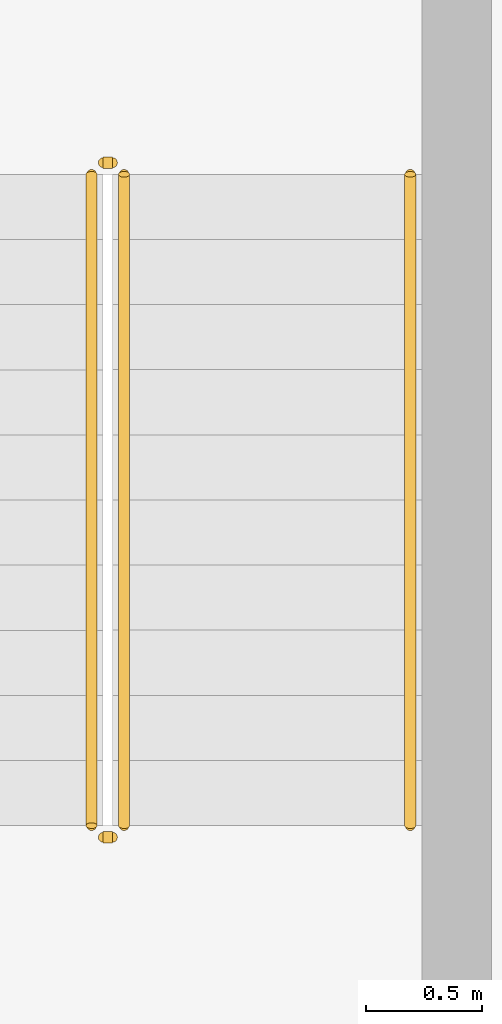
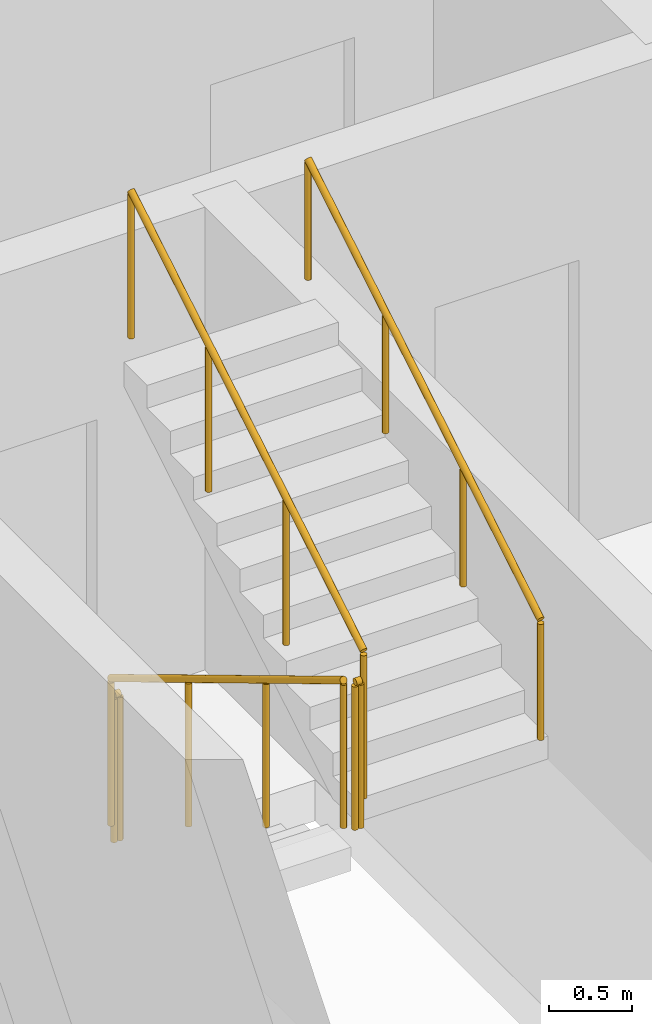
# One storey, part 20 of 23: 5 railings.
"""IFC4 building model written with IfcOpenShell, lengths in metres."""

import ifcopenshell
import ifcopenshell.guid

model = None  # the IFC model being written
_history = None  # IfcOwnerHistory: only IFC2X3 demands one
_inside = {}  # id of a spatial element -> (the spatial element, [elements in it])
_under = {}  # id of a project, library or spatial element -> (it, [spatial elements below it])
_declared = {}  # id of a project -> (the project, [libraries it declares])
_typed = {}  # id of a type object -> (the type object, [elements of that type])
_made_of = {}  # id of a material, layer set ... -> (it, [elements and type objects made of it])


def new_model(schema):
    """Start an empty IFC model of exactly this schema.

    Asked for "IFC4X3", IfcOpenShell would pick the latest addendum, in which some entities
    have other attributes; the version numbers below select the first issue.
    IFC2X3 requires an IfcOwnerHistory on every rooted entity: one is made here for all.
    """
    global model, _history
    if schema == "IFC4X3":
        model = ifcopenshell.file(schema_version=(4, 3, 0, 0))
    else:
        model = ifcopenshell.file(schema=schema)
    _inside.clear()
    _under.clear()
    _declared.clear()
    _typed.clear()
    _made_of.clear()
    _history = None
    if model.schema == "IFC2X3":
        org = make("IfcOrganization", Name="unknown")
        user = make(
            "IfcPersonAndOrganization",
            ThePerson=make("IfcPerson", FamilyName="unknown"),
            TheOrganization=org,
        )
        app = make(
            "IfcApplication",
            ApplicationDeveloper=org,
            Version="unknown",
            ApplicationFullName="unknown",
            ApplicationIdentifier="unknown",
        )
        _history = make(
            "IfcOwnerHistory",
            OwningUser=user,
            OwningApplication=app,
            ChangeAction="ADDED",
            CreationDate=0,
        )
    return model


def make(cls, **values):
    """One entity of the class cls with the attributes given. An attribute that is None is left unset."""
    return model.create_entity(
        cls, **{name: value for name, value in values.items() if value is not None}
    )


def rooted(cls, **values):
    """An entity with a GlobalId (a new one), such as an element, a storey or a relation."""
    return make(cls, GlobalId=ifcopenshell.guid.new(), OwnerHistory=_history, **values)


def si_unit(unit_type, name, prefix=None):
    """IfcSIUnit, for example si_unit("LENGTHUNIT", "METRE", prefix="MILLI")."""
    return make("IfcSIUnit", UnitType=unit_type, Prefix=prefix, Name=name)


def assignment(units):
    """IfcUnitAssignment: the units of a project."""
    return None if units is None else make("IfcUnitAssignment", Units=units)


def point(xyz):
    """IfcCartesianPoint."""
    return None if xyz is None else make("IfcCartesianPoint", Coordinates=xyz)


def direction(xyz):
    """IfcDirection."""
    return None if xyz is None else make("IfcDirection", DirectionRatios=xyz)


def frame(location, z_axis=None, x_axis=None):
    """IfcAxis2Placement3D, a coordinate frame: its origin and axes. An axis left out is left unset."""
    return make(
        "IfcAxis2Placement3D",
        Location=point(location),
        Axis=direction(z_axis),
        RefDirection=direction(x_axis),
    )


def frame_2d(location, x_axis=None):
    """IfcAxis2Placement2D, a coordinate frame in the plane: its origin and x axis."""
    return make(
        "IfcAxis2Placement2D", Location=point(location), RefDirection=direction(x_axis)
    )


def origin():
    """The frame at (0, 0, 0) with its axes left unset."""
    return frame((0.0, 0.0, 0.0))


def origin_2d():
    """The frame at (0, 0) in the plane with its x axis left unset."""
    return frame_2d((0.0, 0.0))


def place(relative_to, where):
    """IfcLocalPlacement: puts the frame where relative to a parent placement (None: the world)."""
    return make(
        "IfcLocalPlacement", PlacementRelTo=relative_to, RelativePlacement=where
    )


def context(
    kind, dimensions, precision=None, world=None, true_north=None, identifier=None
):
    """IfcGeometricRepresentationContext, for example the 3D "Model" context."""
    return make(
        "IfcGeometricRepresentationContext",
        ContextIdentifier=identifier,
        ContextType=kind,
        CoordinateSpaceDimension=dimensions,
        Precision=precision,
        WorldCoordinateSystem=world,
        TrueNorth=true_north,
    )


def subcontext(parent, identifier, kind, view, scale=None):
    """IfcGeometricRepresentationSubContext, for example "Body" below "Model"."""
    return make(
        "IfcGeometricRepresentationSubContext",
        ContextIdentifier=identifier,
        ContextType=kind,
        ParentContext=parent,
        TargetScale=scale,
        TargetView=view,
    )


def project(units=None, contexts=None):
    """IfcProject with its units and contexts."""
    return rooted(
        "IfcProject",
        Name="project",
        RepresentationContexts=contexts,
        UnitsInContext=assignment(units),
    )


def spatial(cls, under=None, at=None, **own):
    """A site, building, storey or space (cls), placed at a placement, below another one or the project."""
    s = rooted(cls, ObjectPlacement=at, **own)
    if under is not None:
        _under.setdefault(under.id(), (under, []))[1].append(s)
    return s


def profile(cls, at=None, kind="AREA", **sizes):
    """A parametric profile (cls). Its sizes go by their IFC names, for example OverallWidth=200.0."""
    return make(cls, ProfileType=kind, Position=at, **sizes)


def circle(**sizes):
    """IfcCircleProfileDef."""
    return profile("IfcCircleProfileDef", **sizes)


def extrude(swept, where, along, depth):
    """IfcExtrudedAreaSolid: the profile swept, set in the frame where, extruded along a direction by depth."""
    return make(
        "IfcExtrudedAreaSolid",
        SweptArea=swept,
        Position=where,
        ExtrudedDirection=direction(along),
        Depth=depth,
    )


def shape(context_of_items, identifier, shape_type, items):
    """IfcShapeRepresentation: the items that make up one representation, for example the "Body"."""
    return make(
        "IfcShapeRepresentation",
        ContextOfItems=context_of_items,
        RepresentationIdentifier=identifier,
        RepresentationType=shape_type,
        Items=items,
    )


def material(Name=None, Category=None):
    """IfcMaterial."""
    return make("IfcMaterial", Name=Name, Category=Category)


def made_of(thing, what):
    """Note that an element or type object is made of a material, layer set ...; save() writes the relation."""
    if what is not None:
        _made_of.setdefault(what.id(), (what, []))[1].append(thing)
    return thing


def type_object(cls, material=None, **own):
    """A type object (cls), such as IfcWallType, which elements share."""
    return made_of(rooted(cls, **own), material)


def element(
    cls,
    number,
    at=None,
    inside=None,
    cuts=None,
    type_object=None,
    material=None,
    context=None,
    identifier="Body",
    shape_type=None,
    held_by="IfcProductDefinitionShape",
    body=None,
    shapes=None,
    **own,
):
    """One element of the class cls, such as IfcWall. Its Tag is "e" and its number.

    at: its placement. inside: the storey or other place that contains it. cuts: it is an
    opening in that element (IfcRelVoidsElement). A single representation is given by context,
    identifier, shape_type and body (its items); several are given by shapes. held_by: the class
    of the entity that holds the representations. save() writes the other relations.
    """
    e = rooted(cls, Tag="e%d" % number, ObjectPlacement=at, **own)
    if body is not None:
        shapes = [shape(context, identifier, shape_type, body)]
    if shapes is not None:
        e.Representation = make(held_by, Representations=shapes)
    if inside is not None:
        _inside.setdefault(inside.id(), (inside, []))[1].append(e)
    if cuts is not None:
        rooted(
            "IfcRelVoidsElement", RelatingBuildingElement=cuts, RelatedOpeningElement=e
        )
    if type_object is not None:
        _typed.setdefault(type_object.id(), (type_object, []))[1].append(e)
    return made_of(e, material)


def aggregate(whole, parts):
    """IfcRelAggregates: a whole, such as a stair, and the parts it consists of."""
    return rooted("IfcRelAggregates", RelatingObject=whole, RelatedObjects=parts)


def save(model, path):
    """Write the relations noted so far, then the file.

    IfcRelAggregates (storeys below a building ...), IfcRelContainedInSpatialStructure (elements
    in a storey), IfcRelDefinesByType, IfcRelAssociatesMaterial and IfcRelDeclares: one each for
    every whole, place, type object, material and project.
    """
    for whole, parts in _under.values():
        aggregate(whole, parts)
    for where, things in _inside.values():
        rooted(
            "IfcRelContainedInSpatialStructure",
            RelatedElements=things,
            RelatingStructure=where,
        )
    for kind, things in _typed.values():
        rooted("IfcRelDefinesByType", RelatedObjects=things, RelatingType=kind)
    for what, things in _made_of.values():
        rooted("IfcRelAssociatesMaterial", RelatedObjects=things, RelatingMaterial=what)
    for by, libraries in _declared.values():
        rooted("IfcRelDeclares", RelatingContext=by, RelatedDefinitions=libraries)
    model.write(path)


model = new_model("IFC4")

# Units and contexts
model_context = context("Model", 3, precision=1e-05, world=origin(), true_north=direction((0.0, 1.0)))
body_context = subcontext(model_context, "Body", "Model", "MODEL_VIEW")
ifc_project = project(units=[si_unit("LENGTHUNIT", "METRE"), si_unit("AREAUNIT", "SQUARE_METRE"), si_unit("VOLUMEUNIT", "CUBIC_METRE"), si_unit("PLANEANGLEUNIT", "RADIAN"), si_unit("MASSUNIT", "GRAM", prefix="KILO")], contexts=[model_context])

# Site, building, storey
site_placement = place(None, origin())
site = spatial("IfcSite", under=ifc_project, at=site_placement, CompositionType="ELEMENT")
building_placement = place(site_placement, origin())
building = spatial("IfcBuilding", under=site, at=building_placement, Name="Ogive Portal Towers", CompositionType="ELEMENT")
storey_placement = place(building_placement, frame((0.0, 0.0, 179.199951171875)))
storey = spatial("IfcBuildingStorey", under=building, at=storey_placement, Name="L44", CompositionType="ELEMENT", Elevation=179.199951171875)

# Railings
ifc_material_1 = material(Name="Stainless steel balustrade", Category="steel")
railing_type_1 = type_object("IfcRailingType", Name="INT-GUARD", PredefinedType="GUARDRAIL", material=ifc_material_1)
railing_1_placement = place(storey_placement, frame((88.280029296875, 29.169921875, 0.168212890625)))
element("IfcRailing", 1, at=railing_1_placement, inside=storey, type_object=railing_type_1, Name="L44 ST-A4 stair guard 1", PredefinedType="GUARDRAIL", context=body_context, shape_type="SweptSolid", body=[
    extrude(circle(Radius=0.02392578125, at=origin_2d()), frame((0.0, 0.0, 1.076171875), z_axis=(0.0, -0.857222391501, 0.514946377315), x_axis=(1.0, 0.0, 0.0)), (0.0, 0.0, 1.0), 3.26611328125),
    extrude(circle(Radius=0.02099609375, at=origin_2d()), origin(), (0.0, 0.0, 1.0), 1.052001953125),
    extrude(circle(Radius=0.02099609375, at=origin_2d()), frame((0.0, -0.933349609375, 0.560546875)), (0.0, 0.0, 1.0), 1.052001953125),
    extrude(circle(Radius=0.02099609375, at=origin_2d()), frame((0.0, -1.866455078125, 1.121337890625)), (0.0, 0.0, 1.0), 1.052001953125),
    extrude(circle(Radius=0.02099609375, at=origin_2d()), frame((0.0, -2.7998046875, 1.681884765625)), (0.0, 0.0, 1.0), 1.052001953125),
])
railing_2_placement = place(storey_placement, frame((88.330078125, 26.320068359375, 1.85009765625)))
element("IfcRailing", 2, at=railing_2_placement, inside=storey, type_object=railing_type_1, Name="L44 ST-A4 stair guard 2", PredefinedType="GUARDRAIL", context=body_context, shape_type="SweptSolid", body=[
    extrude(circle(Radius=0.02392578125, at=origin_2d()), frame((0.0, 0.0, 1.076171875), z_axis=(1.0, 0.0, 0.0), x_axis=(0.0, 1.0, 0.0)), (0.0, 0.0, 1.0), 0.0400390625),
    extrude(circle(Radius=0.02099609375, at=origin_2d()), origin(), (0.0, 0.0, 1.0), 1.052001953125),
    extrude(circle(Radius=0.02099609375, at=origin_2d()), frame((0.0400390625, 0.0, 0.0)), (0.0, 0.0, 1.0), 1.052001953125),
])
railing_3_placement = place(storey_placement, frame((88.419921875, 26.3701171875, 2.018310546875)))
element("IfcRailing", 3, at=railing_3_placement, inside=storey, type_object=railing_type_1, Name="L44 ST-A4 stair guard 3", PredefinedType="GUARDRAIL", context=body_context, shape_type="SweptSolid", body=[
    extrude(circle(Radius=0.02392578125, at=origin_2d()), frame((0.0, 0.0, 1.076171875), z_axis=(0.0, 0.857255387014, 0.514891446264), x_axis=(-1.0, 0.0, 0.0)), (0.0, 0.0, 1.0), 3.26611328125),
    extrude(circle(Radius=0.02099609375, at=origin_2d()), origin(), (0.0, 0.0, 1.0), 1.052001953125),
    extrude(circle(Radius=0.02099609375, at=origin_2d()), frame((0.0, 0.933349609375, 0.560546875)), (0.0, 0.0, 1.0), 1.052001953125),
    extrude(circle(Radius=0.02099609375, at=origin_2d()), frame((0.0, 1.866455078125, 1.12109375)), (0.0, 0.0, 1.0), 1.052001953125),
    extrude(circle(Radius=0.02099609375, at=origin_2d()), frame((0.0, 2.7998046875, 1.681640625)), (0.0, 0.0, 1.0), 1.052001953125),
])
railing_4_placement = place(storey_placement, frame((88.330078125, 29.219970703125, 0.0)))
element("IfcRailing", 4, at=railing_4_placement, inside=storey, type_object=railing_type_1, Name="L44 ST-A4 stair guard 4", PredefinedType="GUARDRAIL", context=body_context, shape_type="SweptSolid", body=[
    extrude(circle(Radius=0.02392578125, at=origin_2d()), frame((0.0, 0.0, 1.076171875), z_axis=(1.0, 0.0, 0.0), x_axis=(0.0, 1.0, 0.0)), (0.0, 0.0, 1.0), 0.0400390625),
    extrude(circle(Radius=0.02099609375, at=origin_2d()), origin(), (0.0, 0.0, 1.0), 1.052001953125),
    extrude(circle(Radius=0.02099609375, at=origin_2d()), frame((0.0400390625, 0.0, 0.0)), (0.0, 0.0, 1.0), 1.052001953125),
])
ifc_material_2 = material(Name="Stainless steel handrail", Category="steel")
railing_type_2 = type_object("IfcRailingType", Name="INT-HANDRAIL", PredefinedType="HANDRAIL", material=ifc_material_2)
railing_5_placement = place(storey_placement, frame((89.64990234375, 26.3701171875, 2.018310546875)))
element("IfcRailing", 5, at=railing_5_placement, inside=storey, type_object=railing_type_2, Name="L44 ST-A4 stair handrail 2", PredefinedType="HANDRAIL", context=body_context, shape_type="SweptSolid", body=[
    extrude(circle(Radius=0.02392578125, at=origin_2d()), frame((0.0, 0.0, 0.8759765625), z_axis=(0.0, 0.857255387014, 0.514891446264), x_axis=(-1.0, 0.0, 0.0)), (0.0, 0.0, 1.0), 3.26611328125),
    extrude(circle(Radius=0.02099609375, at=origin_2d()), origin(), (0.0, 0.0, 1.0), 0.851806640625),
    extrude(circle(Radius=0.02099609375, at=origin_2d()), frame((0.0, 0.933349609375, 0.560546875)), (0.0, 0.0, 1.0), 0.851806640625),
    extrude(circle(Radius=0.02099609375, at=origin_2d()), frame((0.0, 1.866455078125, 1.12109375)), (0.0, 0.0, 1.0), 0.851806640625),
    extrude(circle(Radius=0.02099609375, at=origin_2d()), frame((0.0, 2.7998046875, 1.681640625)), (0.0, 0.0, 1.0), 0.851806640625),
])

save(model, "model.ifc")
